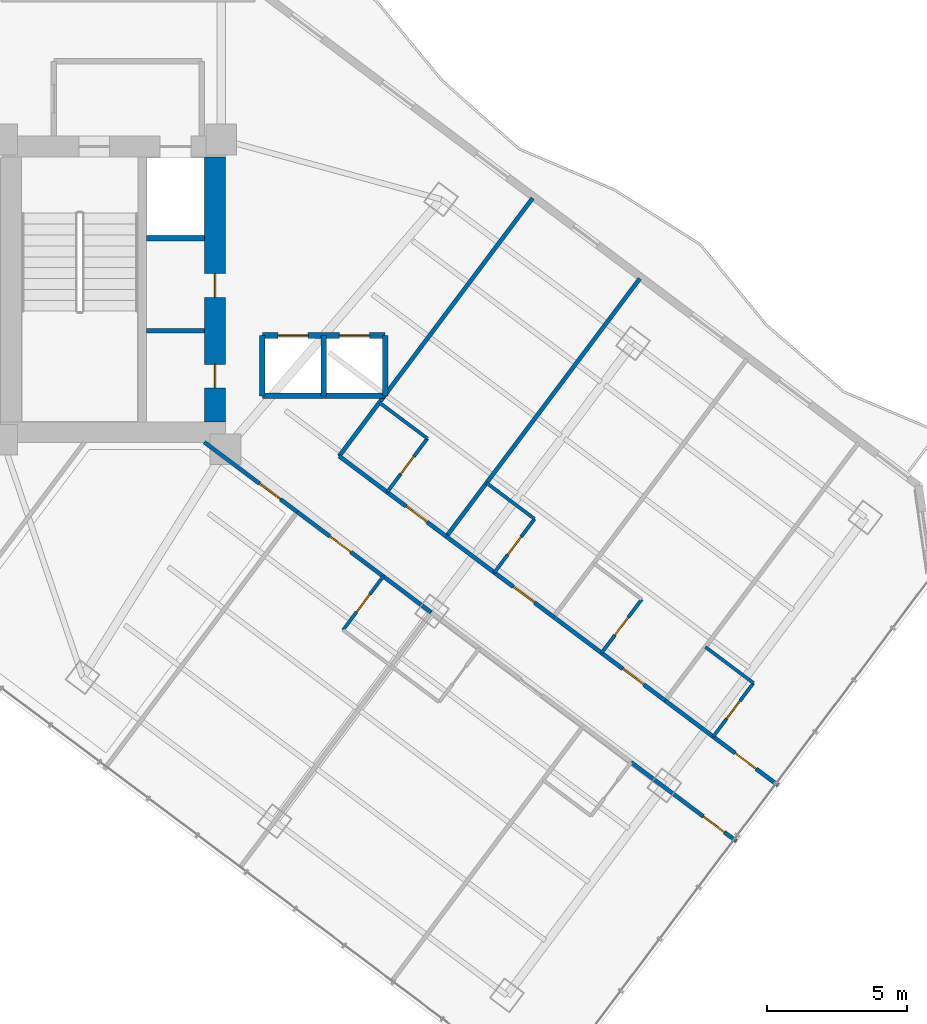
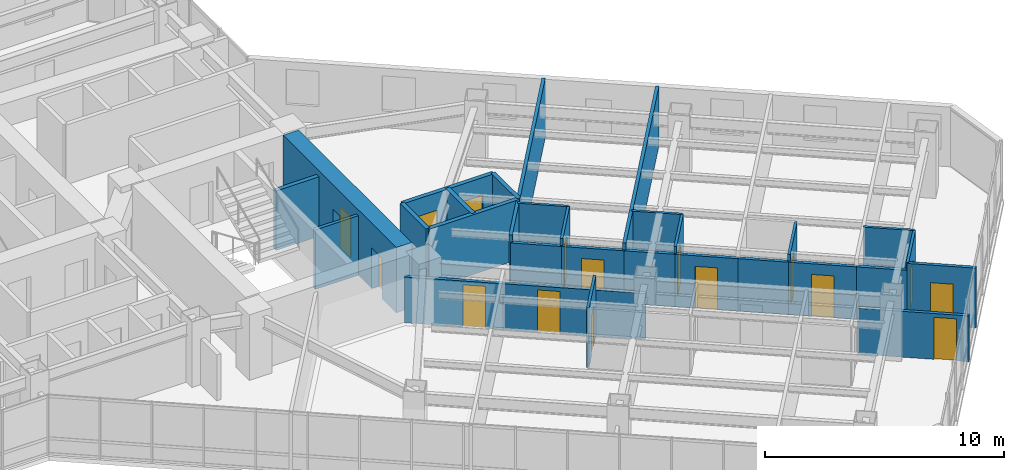
# One storey, part 29 of 36: 30 walls, 16 doors, 16 openings.
"""IFC4 building model written with IfcOpenShell, lengths in metres."""

from ifc_helpers import new_model, si_unit, direction, frame, frame_2d, origin, place, context, subcontext, project, spatial, rectangle, extrude, material, layer, layer_set, type_object, element, fill, save


model = new_model("IFC4")

# Units and contexts
model_context = context("Model", 3, precision=1e-05, world=origin(), true_north=direction((0.0, 1.0)))
body_context = subcontext(model_context, "Body", "Model", "MODEL_VIEW")
ifc_project = project(units=[si_unit("LENGTHUNIT", "METRE"), si_unit("AREAUNIT", "SQUARE_METRE"), si_unit("VOLUMEUNIT", "CUBIC_METRE"), si_unit("PLANEANGLEUNIT", "RADIAN"), si_unit("MASSUNIT", "GRAM", prefix="KILO")], contexts=[model_context])

# Site, building, storey
site_placement = place(None, origin())
site = spatial("IfcSite", under=ifc_project, at=site_placement, CompositionType="ELEMENT")
building_placement = place(site_placement, origin())
building = spatial("IfcBuilding", under=site, at=building_placement, Name="Hatsunagi Terrace Concourse", CompositionType="ELEMENT")
storey_placement = place(building_placement, frame((0.0, 0.0, 88.0)))
storey = spatial("IfcBuildingStorey", under=building, at=storey_placement, Name="L23", CompositionType="ELEMENT", Elevation=88.0)

# Wall, openings, doors
ifc_material_1 = material(Name="Concrete Fc60", Category="concrete")
ifc_layer_1 = layer(ifc_material_1, 0.75)
ifc_layer_set_1 = layer_set([ifc_layer_1], Name="CoreShearWall_Fc60_750")
wall_type_1 = type_object("IfcWallType", Name="CoreShearWall_Fc60_750", PredefinedType="SHEAR", material=ifc_layer_set_1)
wall_1_placement = place(storey_placement, frame((43.425048828125, 25.18994140625, 0.0), z_axis=(0.0, 0.0, 1.0), x_axis=(0.0, 1.0, 0.0)))
wall_1 = element("IfcWall", 1, at=wall_1_placement, inside=storey, type_object=wall_type_1, Name="Core B Shear Wall E L23", PredefinedType="SHEAR", context=body_context, shape_type="SweptSolid", body=[
    extrude(rectangle(XDim=9.47998046875, YDim=0.75, at=frame_2d((4.739990234375, 0.0))), origin(), (0.0, 0.0, 1.0), 3.35009765625),
])
opening_1_placement = place(wall_1_placement, frame((1.2099609375, 0.0, 0.0)))
opening_1 = element("IfcOpeningElement", 2, at=opening_1_placement, cuts=wall_1, Name="Opening DR-085", PredefinedType="OPENING", context=body_context, shape_type="SweptSolid", body=[
    extrude(rectangle(XDim=0.85009765625, YDim=2.080078125, at=frame_2d((0.425048828125, 1.0400390625))), frame((0.0, 0.385009765625, 0.0), z_axis=(0.0, -1.0, 0.0), x_axis=(1.0, 0.0, 0.0)), (0.0, 0.0, 1.0), 0.77001953125),
])
opening_2_placement = place(wall_1_placement, frame((4.4599609375, 0.0, 0.0)))
opening_2 = element("IfcOpeningElement", 3, at=opening_2_placement, cuts=wall_1, Name="Opening DR-085", PredefinedType="OPENING", context=body_context, shape_type="SweptSolid", body=[
    extrude(rectangle(XDim=0.85009765625, YDim=2.080078125, at=frame_2d((0.425048828125, 1.0400390625))), frame((0.0, 0.385009765625, 0.0), z_axis=(0.0, -1.0, 0.0), x_axis=(1.0, 0.0, 0.0)), (0.0, 0.0, 1.0), 0.77001953125),
])
ifc_material_2 = material(Name="Painted steel", Category="steel")
door_type_1 = type_object("IfcDoorType", Name="RiserAccessDoor_EI60_850", OperationType="NOTDEFINED", PredefinedType="DOOR", material=ifc_material_2)
door_1_placement = place(opening_1_placement, origin())
door_1 = element("IfcDoor", 4, at=door_1_placement, inside=storey, type_object=door_type_1, Name="Core B Riser Door L23-1", OperationType="SINGLE_SWING_RIGHT", OverallHeight=2.080078125, OverallWidth=0.85009765625, PredefinedType="DOOR", context=body_context, shape_type="SweptSolid", body=[
    extrude(rectangle(XDim=0.85009765625, YDim=2.080078125, at=frame_2d((0.425048828125, 1.0400390625))), frame((0.0, 0.02490234375, 0.0), z_axis=(0.0, -1.0, 0.0), x_axis=(1.0, 0.0, 0.0)), (0.0, 0.0, 1.0), 0.050048828125),
])
fill(opening_1, door_1)
door_2_placement = place(opening_2_placement, origin())
door_2 = element("IfcDoor", 5, at=door_2_placement, inside=storey, type_object=door_type_1, Name="Core B Riser Door L23-2", OperationType="SINGLE_SWING_RIGHT", OverallHeight=2.080078125, OverallWidth=0.85009765625, PredefinedType="DOOR", context=body_context, shape_type="SweptSolid", body=[
    extrude(rectangle(XDim=0.85009765625, YDim=2.080078125, at=frame_2d((0.425048828125, 1.0400390625))), frame((0.0, 0.02490234375, 0.0), z_axis=(0.0, -1.0, 0.0), x_axis=(1.0, 0.0, 0.0)), (0.0, 0.0, 1.0), 0.050048828125),
])
fill(opening_2, door_2)

# Wall, opening, door
ifc_material_3 = material(Name="Acoustic mineral board", Category="gypsum")
ifc_layer_2 = layer(ifc_material_3, 0.1201171875)
ifc_layer_set_2 = layer_set([ifc_layer_2], Name="PartitionWall_EI30_120")
wall_type_2 = type_object("IfcWallType", Name="PartitionWall_EI30_120", PredefinedType="PARTITIONING", material=ifc_layer_set_2)
wall_2_placement = place(storey_placement, frame((49.590087890625, 22.669921875, 0.0), z_axis=(0.0, 0.0, 1.0), x_axis=(0.599951172744, 0.800036618114, 0.0)))
wall_2 = element("IfcWall", 6, at=wall_2_placement, inside=storey, type_object=wall_type_2, Name="Interior Partition IW-L23-066", PredefinedType="PARTITIONING", context=body_context, shape_type="SweptSolid", body=[
    extrude(rectangle(XDim=2.400146484375, YDim=0.1201171875, at=frame_2d((1.2001953125, 0.0))), origin(), (0.0, 0.0, 1.0), 3.050048828125),
])
opening_3_placement = place(wall_2_placement, frame((0.800048828125, 0.0, 0.0)))
opening_3 = element("IfcOpeningElement", 7, at=opening_3_placement, cuts=wall_2, Name="Opening DR-080", PredefinedType="OPENING", context=body_context, shape_type="SweptSolid", body=[
    extrude(rectangle(XDim=0.800048828125, YDim=2.06005859375, at=frame_2d((0.39990234375, 1.030029296875))), frame((0.0, 0.070068359375, 0.0), z_axis=(0.0, -1.0, 0.0), x_axis=(1.0, 0.0, 0.0)), (0.0, 0.0, 1.0), 0.14013671875),
])
ifc_material_4 = material(Name="Hardwood timber", Category="wood")
door_type_2 = type_object("IfcDoorType", Name="BathroomDoor_800", OperationType="NOTDEFINED", PredefinedType="DOOR", material=ifc_material_4)
door_3_placement = place(opening_3_placement, origin())
door_3 = element("IfcDoor", 8, at=door_3_placement, inside=storey, type_object=door_type_2, Name="En-Suite Bathroom L23-SENE1 Door", OperationType="SINGLE_SWING_LEFT", OverallHeight=2.06005859375, OverallWidth=0.800048828125, PredefinedType="DOOR", context=body_context, shape_type="SweptSolid", body=[
    extrude(rectangle(XDim=0.800048828125, YDim=2.06005859375, at=frame_2d((0.39990234375, 1.030029296875))), frame((0.0, 0.02490234375, 0.0), z_axis=(0.0, -1.0, 0.0), x_axis=(1.0, 0.0, 0.0)), (0.0, 0.0, 1.0), 0.050048828125),
])
fill(opening_3, door_3)

# Wall
wall_3_placement = place(storey_placement, frame((49.31005859375, 25.8798828125, 0.0), z_axis=(0.0, 0.0, 1.0), x_axis=(0.800040880289, -0.59994548908, 0.0)))
element("IfcWall", 9, at=wall_3_placement, inside=storey, type_object=wall_type_2, Name="Interior Partition IW-L23-067", PredefinedType="PARTITIONING", context=body_context, shape_type="SweptSolid", body=[
    extrude(rectangle(XDim=2.14990234375, YDim=0.1201171875, at=frame_2d((1.074951171875, 0.0))), origin(), (0.0, 0.0, 1.0), 3.050048828125),
])

# Wall, opening, door
wall_4_placement = place(storey_placement, frame((53.429931640625, 19.7900390625, 0.0), z_axis=(0.0, 0.0, 1.0), x_axis=(0.600065100855, 0.79995117022, 0.0)))
wall_4 = element("IfcWall", 10, at=wall_4_placement, inside=storey, type_object=wall_type_2, Name="Interior Partition IW-L23-072", PredefinedType="PARTITIONING", context=body_context, shape_type="SweptSolid", body=[
    extrude(rectangle(XDim=2.400146484375, YDim=0.1201171875, at=frame_2d((1.2001953125, 0.0))), origin(), (0.0, 0.0, 1.0), 3.050048828125),
])
opening_4_placement = place(wall_4_placement, frame((0.800048828125, 0.0, 0.0)))
opening_4 = element("IfcOpeningElement", 11, at=opening_4_placement, cuts=wall_4, Name="Opening DR-080", PredefinedType="OPENING", context=body_context, shape_type="SweptSolid", body=[
    extrude(rectangle(XDim=0.800048828125, YDim=2.06005859375, at=frame_2d((0.39990234375, 1.030029296875))), frame((0.0, 0.070068359375, 0.0), z_axis=(0.0, -1.0, 0.0), x_axis=(1.0, 0.0, 0.0)), (0.0, 0.0, 1.0), 0.14013671875),
])
door_4_placement = place(opening_4_placement, origin())
door_4 = element("IfcDoor", 12, at=door_4_placement, inside=storey, type_object=door_type_2, Name="En-Suite Bathroom L23-SENE2 Door", OperationType="SINGLE_SWING_RIGHT", OverallHeight=2.06005859375, OverallWidth=0.800048828125, PredefinedType="DOOR", context=body_context, shape_type="SweptSolid", body=[
    extrude(rectangle(XDim=0.800048828125, YDim=2.06005859375, at=frame_2d((0.39990234375, 1.030029296875))), frame((0.0, 0.02490234375, 0.0), z_axis=(0.0, -1.0, 0.0), x_axis=(1.0, 0.0, 0.0)), (0.0, 0.0, 1.0), 0.050048828125),
])
fill(opening_4, door_4)

# Wall
wall_5_placement = place(storey_placement, frame((53.14990234375, 23.0, 0.0), z_axis=(0.0, 0.0, 1.0), x_axis=(0.800027249606, -0.599963665473, 0.0)))
element("IfcWall", 13, at=wall_5_placement, inside=storey, type_object=wall_type_2, Name="Interior Partition IW-L23-073", PredefinedType="PARTITIONING", context=body_context, shape_type="SweptSolid", body=[
    extrude(rectangle(XDim=2.150146484375, YDim=0.1201171875, at=frame_2d((1.0751953125, 0.0))), origin(), (0.0, 0.0, 1.0), 3.050048828125),
])

# Wall, opening, door
wall_6_placement = place(storey_placement, frame((57.27001953125, 16.909912109375, 0.0), z_axis=(0.0, 0.0, 1.0), x_axis=(0.599951172744, 0.800036618114, 0.0)))
wall_6 = element("IfcWall", 14, at=wall_6_placement, inside=storey, type_object=wall_type_2, Name="Interior Partition IW-L23-077", PredefinedType="PARTITIONING", context=body_context, shape_type="SweptSolid", body=[
    extrude(rectangle(XDim=2.400146484375, YDim=0.1201171875, at=frame_2d((1.2001953125, 0.0))), origin(), (0.0, 0.0, 1.0), 3.050048828125),
])
opening_5_placement = place(wall_6_placement, frame((0.800048828125, 0.0, 0.0)))
opening_5 = element("IfcOpeningElement", 15, at=opening_5_placement, cuts=wall_6, Name="Opening DR-080", PredefinedType="OPENING", context=body_context, shape_type="SweptSolid", body=[
    extrude(rectangle(XDim=0.800048828125, YDim=2.06005859375, at=frame_2d((0.39990234375, 1.030029296875))), frame((0.0, 0.070068359375, 0.0), z_axis=(0.0, -1.0, 0.0), x_axis=(1.0, 0.0, 0.0)), (0.0, 0.0, 1.0), 0.14013671875),
])
door_5_placement = place(opening_5_placement, origin())
door_5 = element("IfcDoor", 16, at=door_5_placement, inside=storey, type_object=door_type_2, Name="En-Suite Bathroom L23-SENE3 Door", OperationType="SINGLE_SWING_LEFT", OverallHeight=2.06005859375, OverallWidth=0.800048828125, PredefinedType="DOOR", context=body_context, shape_type="SweptSolid", body=[
    extrude(rectangle(XDim=0.800048828125, YDim=2.06005859375, at=frame_2d((0.39990234375, 1.030029296875))), frame((0.0, 0.02490234375, 0.0), z_axis=(0.0, -1.0, 0.0), x_axis=(1.0, 0.0, 0.0)), (0.0, 0.0, 1.0), 0.050048828125),
])
fill(opening_5, door_5)

wall_7_placement = place(storey_placement, frame((61.27001953125, 13.909912109375, 0.0), z_axis=(0.0, 0.0, 1.0), x_axis=(0.599951172744, 0.800036618114, 0.0)))
wall_7 = element("IfcWall", 17, at=wall_7_placement, inside=storey, type_object=wall_type_2, Name="Interior Partition IW-L23-082", PredefinedType="PARTITIONING", context=body_context, shape_type="SweptSolid", body=[
    extrude(rectangle(XDim=2.400146484375, YDim=0.1201171875, at=frame_2d((1.2001953125, 0.0))), origin(), (0.0, 0.0, 1.0), 3.050048828125),
])
opening_6_placement = place(wall_7_placement, frame((0.800048828125, 0.0, 0.0)))
opening_6 = element("IfcOpeningElement", 18, at=opening_6_placement, cuts=wall_7, Name="Opening DR-080", PredefinedType="OPENING", context=body_context, shape_type="SweptSolid", body=[
    extrude(rectangle(XDim=0.800048828125, YDim=2.06005859375, at=frame_2d((0.39990234375, 1.030029296875))), frame((0.0, 0.070068359375, 0.0), z_axis=(0.0, -1.0, 0.0), x_axis=(1.0, 0.0, 0.0)), (0.0, 0.0, 1.0), 0.14013671875),
])
door_6_placement = place(opening_6_placement, origin())
door_6 = element("IfcDoor", 19, at=door_6_placement, inside=storey, type_object=door_type_2, Name="En-Suite Bathroom L23-SENE4 Door", OperationType="SINGLE_SWING_RIGHT", OverallHeight=2.06005859375, OverallWidth=0.800048828125, PredefinedType="DOOR", context=body_context, shape_type="SweptSolid", body=[
    extrude(rectangle(XDim=0.800048828125, YDim=2.06005859375, at=frame_2d((0.39990234375, 1.030029296875))), frame((0.0, 0.02490234375, 0.0), z_axis=(0.0, -1.0, 0.0), x_axis=(1.0, 0.0, 0.0)), (0.0, 0.0, 1.0), 0.050048828125),
])
fill(opening_6, door_6)

# Wall
wall_8_placement = place(storey_placement, frame((60.989990234375, 17.1201171875, 0.0), z_axis=(0.0, 0.0, 1.0), x_axis=(0.79998637334, -0.60001816845, 0.0)))
element("IfcWall", 20, at=wall_8_placement, inside=storey, type_object=wall_type_2, Name="Interior Partition IW-L23-083", PredefinedType="PARTITIONING", context=body_context, shape_type="SweptSolid", body=[
    extrude(rectangle(XDim=2.14990234375, YDim=0.1201171875, at=frame_2d((1.074951171875, 0.0))), origin(), (0.0, 0.0, 1.0), 3.050048828125),
])

# Wall, opening, door
wall_9_placement = place(storey_placement, frame((48.010009765625, 17.72998046875, 0.0), z_axis=(0.0, 0.0, 1.0), x_axis=(0.6, 0.8, 0.0)))
wall_9 = element("IfcWall", 21, at=wall_9_placement, inside=storey, type_object=wall_type_2, Name="Interior Partition IW-L23-086", PredefinedType="PARTITIONING", context=body_context, shape_type="SweptSolid", body=[
    extrude(rectangle(XDim=2.39990234375, YDim=0.1201171875, at=frame_2d((1.199951171875, 0.0))), origin(), (0.0, 0.0, 1.0), 3.050048828125),
])
opening_7_placement = place(wall_9_placement, frame((0.800048828125, 0.0, 0.0)))
opening_7 = element("IfcOpeningElement", 22, at=opening_7_placement, cuts=wall_9, Name="Opening DR-080", PredefinedType="OPENING", context=body_context, shape_type="SweptSolid", body=[
    extrude(rectangle(XDim=0.800048828125, YDim=2.06005859375, at=frame_2d((0.39990234375, 1.030029296875))), frame((0.0, 0.070068359375, 0.0), z_axis=(0.0, -1.0, 0.0), x_axis=(1.0, 0.0, 0.0)), (0.0, 0.0, 1.0), 0.14013671875),
])
door_7_placement = place(opening_7_placement, origin())
door_7 = element("IfcDoor", 23, at=door_7_placement, inside=storey, type_object=door_type_2, Name="En-Suite Bathroom L23-SESW1 Door", OperationType="SINGLE_SWING_LEFT", OverallHeight=2.06005859375, OverallWidth=0.800048828125, PredefinedType="DOOR", context=body_context, shape_type="SweptSolid", body=[
    extrude(rectangle(XDim=0.800048828125, YDim=2.06005859375, at=frame_2d((0.39990234375, 1.030029296875))), frame((0.0, 0.02490234375, 0.0), z_axis=(0.0, -1.0, 0.0), x_axis=(1.0, 0.0, 0.0)), (0.0, 0.0, 1.0), 0.050048828125),
])
fill(opening_7, door_7)

# Wall
ifc_material_5 = material(Name="Acoustic mineral board", Category="gypsum")
ifc_layer_3 = layer(ifc_material_5, 0.14990234375)
ifc_layer_set_3 = layer_set([ifc_layer_3], Name="PartitionWall_EI60_150")
wall_type_3 = type_object("IfcWallType", Name="PartitionWall_EI60_150", PredefinedType="PARTITIONING", material=ifc_layer_set_3)
wall_10_placement = place(storey_placement, frame((40.969970703125, 28.449951171875, 0.0), z_axis=(0.0, 0.0, 1.0), x_axis=(1.0, 0.0, 0.0)))
element("IfcWall", 24, at=wall_10_placement, inside=storey, type_object=wall_type_3, Name="Interior Partition IW-L23-004", PredefinedType="PARTITIONING", context=body_context, shape_type="SweptSolid", body=[
    extrude(rectangle(XDim=2.080078125, YDim=0.14990234375, at=frame_2d((1.0400390625, 0.0))), origin(), (0.0, 0.0, 1.0), 3.050048828125),
])

# Wall, opening, door
wall_11_placement = place(storey_placement, frame((43.037109375, 24.4599609375, 0.0), z_axis=(0.0, 0.0, 1.0), x_axis=(0.799971872363, -0.600037501685, 0.0)))
wall_11 = element("IfcWall", 25, at=wall_11_placement, inside=storey, type_object=wall_type_3, Name="Interior Partition IW-L23-041", PredefinedType="PARTITIONING", context=body_context, shape_type="SweptSolid", body=[
    extrude(rectangle(XDim=4.16650390625, YDim=0.14990234375, at=frame_2d((2.083251953125, 0.0))), origin(), (0.0, 0.0, 1.0), 2.344970703125),
])
opening_8_placement = place(wall_11_placement, frame((2.468017578125, 0.0, 0.0)))
opening_8 = element("IfcOpeningElement", 26, at=opening_8_placement, cuts=wall_11, Name="Opening DR-095", PredefinedType="OPENING", context=body_context, shape_type="SweptSolid", body=[
    extrude(rectangle(XDim=0.949951171875, YDim=2.14990234375, at=frame_2d((0.47509765625, 1.074951171875))), frame((0.0, 0.0849609375, 0.0), z_axis=(0.0, -1.0, 0.0), x_axis=(1.0, 0.0, 0.0)), (0.0, 0.0, 1.0), 0.169921875),
])
ifc_material_6 = material(Name="Hardwood timber", Category="wood")
door_type_3 = type_object("IfcDoorType", Name="InteriorSuiteDoor_EI30_950", OperationType="NOTDEFINED", PredefinedType="DOOR", material=ifc_material_6)
door_8_placement = place(opening_8_placement, origin())
door_8 = element("IfcDoor", 27, at=door_8_placement, inside=storey, type_object=door_type_3, Name="Meeting Room L23-HMTG Door", OperationType="SINGLE_SWING_RIGHT", OverallHeight=2.14990234375, OverallWidth=0.949951171875, PredefinedType="DOOR", context=body_context, shape_type="SweptSolid", body=[
    extrude(rectangle(XDim=0.949951171875, YDim=2.14990234375, at=frame_2d((0.47509765625, 1.074951171875))), frame((0.0, 0.02490234375, 0.0), z_axis=(0.0, -1.0, 0.0), x_axis=(1.0, 0.0, 0.0)), (0.0, 0.0, 1.0), 0.050048828125),
])
fill(opening_8, door_8)

# Wall
wall_12_placement = place(storey_placement, frame((47.8701171875, 23.9599609375, 0.0), z_axis=(0.0, 0.0, 1.0), x_axis=(0.79998637334, -0.60001816845, 0.0)))
element("IfcWall", 28, at=wall_12_placement, inside=storey, type_object=wall_type_3, Name="Interior Partition IW-L23-064", PredefinedType="PARTITIONING", context=body_context, shape_type="SweptSolid", body=[
    extrude(rectangle(XDim=2.14990234375, YDim=0.14990234375, at=frame_2d((1.074951171875, 0.0))), origin(), (0.0, 0.0, 1.0), 2.695068359375),
])

# Wall, opening, door
wall_13_placement = place(storey_placement, frame((49.590087890625, 22.669921875, 0.0), z_axis=(0.0, 0.0, 1.0), x_axis=(0.800011056104, -0.599985258246, 0.0)))
wall_13 = element("IfcWall", 29, at=wall_13_placement, inside=storey, type_object=wall_type_3, Name="Interior Partition IW-L23-065", PredefinedType="PARTITIONING", context=body_context, shape_type="SweptSolid", body=[
    extrude(rectangle(XDim=2.64990234375, YDim=0.14990234375, at=frame_2d((1.324951171875, 0.0))), origin(), (0.0, 0.0, 1.0), 2.695068359375),
])
opening_9_placement = place(wall_13_placement, frame((0.85009765625, 0.0, 0.0)))
opening_9 = element("IfcOpeningElement", 30, at=opening_9_placement, cuts=wall_13, Name="Opening DR-095", PredefinedType="OPENING", context=body_context, shape_type="SweptSolid", body=[
    extrude(rectangle(XDim=0.949951171875, YDim=2.14990234375, at=frame_2d((0.47509765625, 1.074951171875))), frame((0.0, 0.0849609375, 0.0), z_axis=(0.0, -1.0, 0.0), x_axis=(1.0, 0.0, 0.0)), (0.0, 0.0, 1.0), 0.169921875),
])
door_9_placement = place(opening_9_placement, origin())
door_9 = element("IfcDoor", 31, at=door_9_placement, inside=storey, type_object=door_type_3, Name="Hotel Guest Room L23-SENE1 Door", OperationType="SINGLE_SWING_LEFT", OverallHeight=2.14990234375, OverallWidth=0.949951171875, PredefinedType="DOOR", context=body_context, shape_type="SweptSolid", body=[
    extrude(rectangle(XDim=0.949951171875, YDim=2.14990234375, at=frame_2d((0.47509765625, 1.074951171875))), frame((0.0, 0.02490234375, 0.0), z_axis=(0.0, -1.0, 0.0), x_axis=(1.0, 0.0, 0.0)), (0.0, 0.0, 1.0), 0.050048828125),
])
fill(opening_9, door_9)

# Walls
for number, where, z_axis, x_axis, name in (
    (32, (47.8701171875, 23.9599609375, 0.0), (0.0, 0.0, 1.0), (0.599996617946, 0.80000253653, 0.0), "Interior Partition IW-L23-068"),
    (33, (51.7099609375, 21.080078125, 0.0), (0.0, 0.0, 1.0), (0.599996617946, 0.80000253653, 0.0), "Interior Partition IW-L23-069"),
):
    element("IfcWall", number, at=place(storey_placement, frame(where, z_axis=z_axis, x_axis=x_axis)), inside=storey, type_object=wall_type_3, Name=name, PredefinedType="PARTITIONING", context=body_context, shape_type="SweptSolid", body=[
        extrude(rectangle(XDim=11.550048828125, YDim=0.14990234375, at=frame_2d((5.77490234375, 0.0))), origin(), (0.0, 0.0, 1.0), 3.050048828125),
    ])
wall_14_placement = place(storey_placement, frame((51.7099609375, 21.080078125, 0.0), z_axis=(0.0, 0.0, 1.0), x_axis=(0.79998637334, -0.60001816845, 0.0)))
element("IfcWall", 34, at=wall_14_placement, inside=storey, type_object=wall_type_3, Name="Interior Partition IW-L23-070", PredefinedType="PARTITIONING", context=body_context, shape_type="SweptSolid", body=[
    extrude(rectangle(XDim=2.14990234375, YDim=0.14990234375, at=frame_2d((1.074951171875, 0.0))), origin(), (0.0, 0.0, 1.0), 2.695068359375),
])

# Wall, opening, door
wall_15_placement = place(storey_placement, frame((53.429931640625, 19.7900390625, 0.0), z_axis=(0.0, 0.0, 1.0), x_axis=(0.8, -0.6, 0.0)))
wall_15 = element("IfcWall", 35, at=wall_15_placement, inside=storey, type_object=wall_type_3, Name="Interior Partition IW-L23-071", PredefinedType="PARTITIONING", context=body_context, shape_type="SweptSolid", body=[
    extrude(rectangle(XDim=2.650146484375, YDim=0.14990234375, at=frame_2d((1.3251953125, 0.0))), origin(), (0.0, 0.0, 1.0), 2.695068359375),
])
opening_10_placement = place(wall_15_placement, frame((0.85009765625, 0.0, 0.0)))
opening_10 = element("IfcOpeningElement", 36, at=opening_10_placement, cuts=wall_15, Name="Opening DR-095", PredefinedType="OPENING", context=body_context, shape_type="SweptSolid", body=[
    extrude(rectangle(XDim=0.949951171875, YDim=2.14990234375, at=frame_2d((0.47509765625, 1.074951171875))), frame((0.0, 0.0849609375, 0.0), z_axis=(0.0, -1.0, 0.0), x_axis=(1.0, 0.0, 0.0)), (0.0, 0.0, 1.0), 0.169921875),
])
door_10_placement = place(opening_10_placement, origin())
door_10 = element("IfcDoor", 37, at=door_10_placement, inside=storey, type_object=door_type_3, Name="Hotel Guest Room L23-SENE2 Door", OperationType="SINGLE_SWING_LEFT", OverallHeight=2.14990234375, OverallWidth=0.949951171875, PredefinedType="DOOR", context=body_context, shape_type="SweptSolid", body=[
    extrude(rectangle(XDim=0.949951171875, YDim=2.14990234375, at=frame_2d((0.47509765625, 1.074951171875))), frame((0.0, 0.02490234375, 0.0), z_axis=(0.0, -1.0, 0.0), x_axis=(1.0, 0.0, 0.0)), (0.0, 0.0, 1.0), 0.050048828125),
])
fill(opening_10, door_10)

# Wall
wall_16_placement = place(storey_placement, frame((55.550048828125, 18.199951171875, 0.0), z_axis=(0.0, 0.0, 1.0), x_axis=(0.79998637334, -0.60001816845, 0.0)))
element("IfcWall", 38, at=wall_16_placement, inside=storey, type_object=wall_type_3, Name="Interior Partition IW-L23-075", PredefinedType="PARTITIONING", context=body_context, shape_type="SweptSolid", body=[
    extrude(rectangle(XDim=2.14990234375, YDim=0.14990234375, at=frame_2d((1.074951171875, 0.0))), origin(), (0.0, 0.0, 1.0), 2.695068359375),
])

# Wall, opening, door
wall_17_placement = place(storey_placement, frame((57.27001953125, 16.909912109375, 0.0), z_axis=(0.0, 0.0, 1.0), x_axis=(0.800010279488, -0.599986293772, 0.0)))
wall_17 = element("IfcWall", 39, at=wall_17_placement, inside=storey, type_object=wall_type_3, Name="Interior Partition IW-L23-076", PredefinedType="PARTITIONING", context=body_context, shape_type="SweptSolid", body=[
    extrude(rectangle(XDim=2.85009765625, YDim=0.14990234375, at=frame_2d((1.425048828125, 0.0))), origin(), (0.0, 0.0, 1.0), 2.695068359375),
])
opening_11_placement = place(wall_17_placement, frame((0.949951171875, 0.0, 0.0)))
opening_11 = element("IfcOpeningElement", 40, at=opening_11_placement, cuts=wall_17, Name="Opening DR-095", PredefinedType="OPENING", context=body_context, shape_type="SweptSolid", body=[
    extrude(rectangle(XDim=0.949951171875, YDim=2.14990234375, at=frame_2d((0.47509765625, 1.074951171875))), frame((0.0, 0.0849609375, 0.0), z_axis=(0.0, -1.0, 0.0), x_axis=(1.0, 0.0, 0.0)), (0.0, 0.0, 1.0), 0.169921875),
])
door_11_placement = place(opening_11_placement, origin())
door_11 = element("IfcDoor", 41, at=door_11_placement, inside=storey, type_object=door_type_3, Name="Hotel Guest Room L23-SENE3 Door", OperationType="SINGLE_SWING_LEFT", OverallHeight=2.14990234375, OverallWidth=0.949951171875, PredefinedType="DOOR", context=body_context, shape_type="SweptSolid", body=[
    extrude(rectangle(XDim=0.949951171875, YDim=2.14990234375, at=frame_2d((0.47509765625, 1.074951171875))), frame((0.0, 0.02490234375, 0.0), z_axis=(0.0, -1.0, 0.0), x_axis=(1.0, 0.0, 0.0)), (0.0, 0.0, 1.0), 0.050048828125),
])
fill(opening_11, door_11)

# Wall
wall_18_placement = place(storey_placement, frame((59.550048828125, 15.199951171875, 0.0), z_axis=(0.0, 0.0, 1.0), x_axis=(0.79998637334, -0.60001816845, 0.0)))
element("IfcWall", 42, at=wall_18_placement, inside=storey, type_object=wall_type_3, Name="Interior Partition IW-L23-080", PredefinedType="PARTITIONING", context=body_context, shape_type="SweptSolid", body=[
    extrude(rectangle(XDim=2.14990234375, YDim=0.14990234375, at=frame_2d((1.074951171875, 0.0))), origin(), (0.0, 0.0, 1.0), 2.695068359375),
])

# Wall, opening, door
wall_19_placement = place(storey_placement, frame((61.27001953125, 13.909912109375, 0.0), z_axis=(0.0, 0.0, 1.0), x_axis=(0.800010068184, -0.59998657552, 0.0)))
wall_19 = element("IfcWall", 43, at=wall_19_placement, inside=storey, type_object=wall_type_3, Name="Interior Partition IW-L23-081", PredefinedType="PARTITIONING", context=body_context, shape_type="SweptSolid", body=[
    extrude(rectangle(XDim=2.909912109375, YDim=0.14990234375, at=frame_2d((1.455078125, 0.0))), origin(), (0.0, 0.0, 1.0), 3.050048828125),
])
opening_12_placement = place(wall_19_placement, frame((0.97998046875, 0.0, 0.0)))
opening_12 = element("IfcOpeningElement", 44, at=opening_12_placement, cuts=wall_19, Name="Opening DR-095", PredefinedType="OPENING", context=body_context, shape_type="SweptSolid", body=[
    extrude(rectangle(XDim=0.949951171875, YDim=2.14990234375, at=frame_2d((0.47509765625, 1.074951171875))), frame((0.0, 0.0849609375, 0.0), z_axis=(0.0, -1.0, 0.0), x_axis=(1.0, 0.0, 0.0)), (0.0, 0.0, 1.0), 0.169921875),
])
door_12_placement = place(opening_12_placement, origin())
door_12 = element("IfcDoor", 45, at=door_12_placement, inside=storey, type_object=door_type_3, Name="Hotel Guest Room L23-SENE4 Door", OperationType="SINGLE_SWING_LEFT", OverallHeight=2.14990234375, OverallWidth=0.949951171875, PredefinedType="DOOR", context=body_context, shape_type="SweptSolid", body=[
    extrude(rectangle(XDim=0.949951171875, YDim=2.14990234375, at=frame_2d((0.47509765625, 1.074951171875))), frame((0.0, 0.02490234375, 0.0), z_axis=(0.0, -1.0, 0.0), x_axis=(1.0, 0.0, 0.0)), (0.0, 0.0, 1.0), 0.050048828125),
])
fill(opening_12, door_12)

wall_20_placement = place(storey_placement, frame((46.3701171875, 21.9599609375, 0.0), z_axis=(0.0, 0.0, 1.0), x_axis=(0.799977170108, -0.600030438649, 0.0)))
wall_20 = element("IfcWall", 46, at=wall_20_placement, inside=storey, type_object=wall_type_3, Name="Interior Partition IW-L23-084", PredefinedType="PARTITIONING", context=body_context, shape_type="SweptSolid", body=[
    extrude(rectangle(XDim=3.849853515625, YDim=0.14990234375, at=frame_2d((1.9248046875, 0.0))), origin(), (0.0, 0.0, 1.0), 2.344970703125),
])
opening_13_placement = place(wall_20_placement, frame((1.449951171875, 0.0, 0.0)))
opening_13 = element("IfcOpeningElement", 47, at=opening_13_placement, cuts=wall_20, Name="Opening DR-095", PredefinedType="OPENING", context=body_context, shape_type="SweptSolid", body=[
    extrude(rectangle(XDim=0.949951171875, YDim=2.14990234375, at=frame_2d((0.47509765625, 1.074951171875))), frame((0.0, 0.0849609375, 0.0), z_axis=(0.0, -1.0, 0.0), x_axis=(1.0, 0.0, 0.0)), (0.0, 0.0, 1.0), 0.169921875),
])
door_13_placement = place(opening_13_placement, origin())
door_13 = element("IfcDoor", 48, at=door_13_placement, inside=storey, type_object=door_type_3, Name="Hotel Guest Room L23-SESW1 Door", OperationType="SINGLE_SWING_RIGHT", OverallHeight=2.14990234375, OverallWidth=0.949951171875, PredefinedType="DOOR", context=body_context, shape_type="SweptSolid", body=[
    extrude(rectangle(XDim=0.949951171875, YDim=2.14990234375, at=frame_2d((0.47509765625, 1.074951171875))), frame((0.0, 0.02490234375, 0.0), z_axis=(0.0, -1.0, 0.0), x_axis=(1.0, 0.0, 0.0)), (0.0, 0.0, 1.0), 0.050048828125),
])
fill(opening_13, door_13)

# Wall
wall_21_placement = place(storey_placement, frame((49.449951171875, 19.64990234375, 0.0), z_axis=(0.0, 0.0, 1.0), x_axis=(0.800040880289, -0.59994548908, 0.0)))
element("IfcWall", 49, at=wall_21_placement, inside=storey, type_object=wall_type_3, Name="Interior Partition IW-L23-085", PredefinedType="PARTITIONING", context=body_context, shape_type="SweptSolid", body=[
    extrude(rectangle(XDim=2.14990234375, YDim=0.14990234375, at=frame_2d((1.074951171875, 0.0))), origin(), (0.0, 0.0, 1.0), 2.344970703125),
])

# Wall, opening, door
wall_22_placement = place(storey_placement, frame((58.330078125, 12.989990234375, 0.0), z_axis=(0.0, 0.0, 1.0), x_axis=(0.799993779569, -0.600008293819, 0.0)))
wall_22 = element("IfcWall", 50, at=wall_22_placement, inside=storey, type_object=wall_type_3, Name="Interior Partition IW-L23-095", PredefinedType="PARTITIONING", context=body_context, shape_type="SweptSolid", body=[
    extrude(rectangle(XDim=4.709716796875, YDim=0.14990234375, at=frame_2d((2.35498046875, 0.0))), origin(), (0.0, 0.0, 1.0), 2.344970703125),
])
opening_14_placement = place(wall_22_placement, frame((3.22998046875, 0.0, 0.0)))
opening_14 = element("IfcOpeningElement", 51, at=opening_14_placement, cuts=wall_22, Name="Opening DR-095", PredefinedType="OPENING", context=body_context, shape_type="SweptSolid", body=[
    extrude(rectangle(XDim=0.949951171875, YDim=2.14990234375, at=frame_2d((0.47509765625, 1.074951171875))), frame((0.0, 0.0849609375, 0.0), z_axis=(0.0, -1.0, 0.0), x_axis=(1.0, 0.0, 0.0)), (0.0, 0.0, 1.0), 0.169921875),
])
door_14_placement = place(opening_14_placement, origin())
door_14 = element("IfcDoor", 52, at=door_14_placement, inside=storey, type_object=door_type_3, Name="Corner Hotel Suite L23-SESW3 Door", OperationType="SINGLE_SWING_RIGHT", OverallHeight=2.14990234375, OverallWidth=0.949951171875, PredefinedType="DOOR", context=body_context, shape_type="SweptSolid", body=[
    extrude(rectangle(XDim=0.949951171875, YDim=2.14990234375, at=frame_2d((0.47509765625, 1.074951171875))), frame((0.0, 0.02490234375, 0.0), z_axis=(0.0, -1.0, 0.0), x_axis=(1.0, 0.0, 0.0)), (0.0, 0.0, 1.0), 0.050048828125),
])
fill(opening_14, door_14)

# Walls
ifc_material_7 = material(Name="Acoustic mineral board", Category="gypsum")
ifc_layer_4 = layer(ifc_material_7, 0.199951171875)
ifc_layer_set_4 = layer_set([ifc_layer_4], Name="ShaftWall_EI120_200")
wall_type_4 = type_object("IfcWallType", Name="ShaftWall_EI120_200", PredefinedType="STANDARD", material=ifc_layer_set_4)
wall_23_placement = place(storey_placement, frame((40.969970703125, 31.760009765625, 0.0), z_axis=(0.0, 0.0, 1.0), x_axis=(1.0, 0.0, 0.0)))
element("IfcWall", 53, at=wall_23_placement, inside=storey, type_object=wall_type_4, Name="Interior Partition IW-L23-003", PredefinedType="STANDARD", context=body_context, shape_type="SweptSolid", body=[
    extrude(rectangle(XDim=2.080078125, YDim=0.199951171875, at=frame_2d((1.0400390625, 0.0))), origin(), (0.0, 0.0, 1.0), 3.050048828125),
])
wall_24_placement = place(storey_placement, frame((45.1201171875, 26.1201171875, 0.0), z_axis=(0.0, 0.0, 1.0), x_axis=(1.0, 0.0, 0.0)))
element("IfcWall", 54, at=wall_24_placement, inside=storey, type_object=wall_type_4, Name="Interior Partition IW-L23-024", PredefinedType="STANDARD", context=body_context, shape_type="SweptSolid", body=[
    extrude(rectangle(XDim=4.39990234375, YDim=0.199951171875, at=frame_2d((2.199951171875, 0.0))), origin(), (0.0, 0.0, 1.0), 3.050048828125),
])
for number, where, z_axis, x_axis, name in (
    (55, (45.1201171875, 26.1201171875, 0.0), (0.0, 0.0, 1.0), (0.0, 1.0, 0.0), "Interior Partition IW-L23-025"),
    (56, (49.52001953125, 26.1201171875, 0.0), (0.0, 0.0, 1.0), (0.0, 1.0, 0.0), "Interior Partition IW-L23-026"),
    (57, (47.320068359375, 26.1201171875, 0.0), (0.0, 0.0, 1.0), (0.0, 1.0, 0.0), "Interior Partition IW-L23-027"),
):
    element("IfcWall", number, at=place(storey_placement, frame(where, z_axis=z_axis, x_axis=x_axis)), inside=storey, type_object=wall_type_4, Name=name, PredefinedType="STANDARD", context=body_context, shape_type="SweptSolid", body=[
        extrude(rectangle(XDim=2.159912109375, YDim=0.199951171875, at=frame_2d((1.080078125, 0.0))), origin(), (0.0, 0.0, 1.0), 3.050048828125),
    ])

# Wall, openings, doors
wall_25_placement = place(storey_placement, frame((45.1201171875, 28.280029296875, 0.0), z_axis=(0.0, 0.0, 1.0), x_axis=(1.0, 0.0, 0.0)))
wall_25 = element("IfcWall", 58, at=wall_25_placement, inside=storey, type_object=wall_type_4, Name="Interior Partition IW-L23-028", PredefinedType="STANDARD", context=body_context, shape_type="SweptSolid", body=[
    extrude(rectangle(XDim=4.39990234375, YDim=0.199951171875, at=frame_2d((2.199951171875, 0.0))), origin(), (0.0, 0.0, 1.0), 3.050048828125),
])
opening_15_placement = place(wall_25_placement, frame((0.56005859375, 0.0, 0.0)))
opening_15 = element("IfcOpeningElement", 59, at=opening_15_placement, cuts=wall_25, Name="Opening LD-03", PredefinedType="OPENING", context=body_context, shape_type="SweptSolid", body=[
    extrude(rectangle(XDim=1.080078125, YDim=2.14990234375, at=frame_2d((0.5400390625, 1.074951171875))), frame((0.0, 0.10986328125, 0.0), z_axis=(0.0, -1.0, 0.0), x_axis=(1.0, 0.0, 0.0)), (0.0, 0.0, 1.0), 0.219970703125),
])
opening_16_placement = place(wall_25_placement, frame((2.760009765625, 0.0, 0.0)))
opening_16 = element("IfcOpeningElement", 60, at=opening_16_placement, cuts=wall_25, Name="Opening LD-03", PredefinedType="OPENING", context=body_context, shape_type="SweptSolid", body=[
    extrude(rectangle(XDim=1.080078125, YDim=2.14990234375, at=frame_2d((0.5400390625, 1.074951171875))), frame((0.0, 0.10986328125, 0.0), z_axis=(0.0, -1.0, 0.0), x_axis=(1.0, 0.0, 0.0)), (0.0, 0.0, 1.0), 0.219970703125),
])
ifc_material_8 = material(Name="Stainless steel", Category="steel")
door_type_4 = type_object("IfcDoorType", Name="LiftLandingDoor_LD03", OperationType="SLIDING_TO_LEFT", PredefinedType="USERDEFINED", material=ifc_material_8)
door_15_placement = place(opening_15_placement, origin())
door_15 = element("IfcDoor", 61, at=door_15_placement, inside=storey, type_object=door_type_4, Name="Lift landing door PL-09 L23", ObjectType="SLIDING_LANDING_DOOR", OperationType="SLIDING_TO_LEFT", OverallHeight=2.14990234375, OverallWidth=1.080078125, PredefinedType="USERDEFINED", context=body_context, shape_type="SweptSolid", body=[
    extrude(rectangle(XDim=1.080078125, YDim=2.14990234375, at=frame_2d((0.5400390625, 1.074951171875))), frame((0.0, 0.02490234375, 0.0), z_axis=(0.0, -1.0, 0.0), x_axis=(1.0, 0.0, 0.0)), (0.0, 0.0, 1.0), 0.050048828125),
])
fill(opening_15, door_15)
door_16_placement = place(opening_16_placement, origin())
door_16 = element("IfcDoor", 62, at=door_16_placement, inside=storey, type_object=door_type_4, Name="Lift landing door PL-10 L23", ObjectType="SLIDING_LANDING_DOOR", OperationType="SLIDING_TO_LEFT", OverallHeight=2.14990234375, OverallWidth=1.080078125, PredefinedType="USERDEFINED", context=body_context, shape_type="SweptSolid", body=[
    extrude(rectangle(XDim=1.080078125, YDim=2.14990234375, at=frame_2d((0.5400390625, 1.074951171875))), frame((0.0, 0.02490234375, 0.0), z_axis=(0.0, -1.0, 0.0), x_axis=(1.0, 0.0, 0.0)), (0.0, 0.0, 1.0), 0.050048828125),
])
fill(opening_16, door_16)

save(model, "model.ifc")
